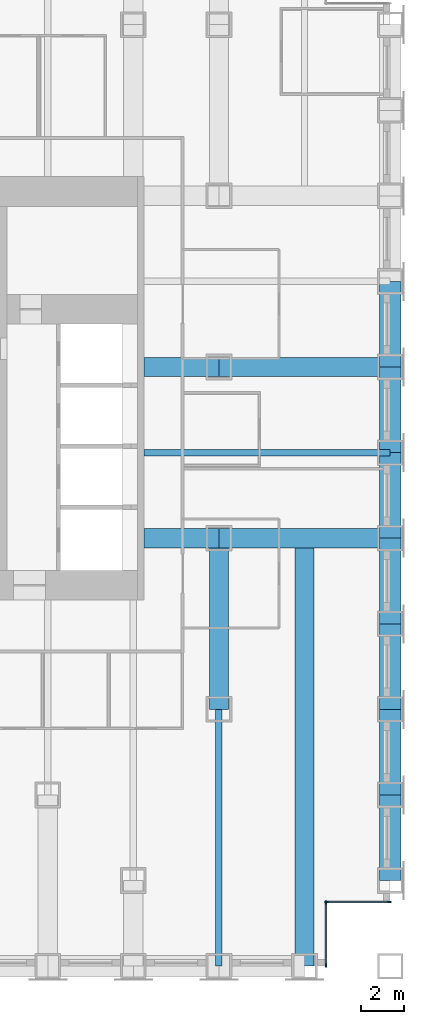
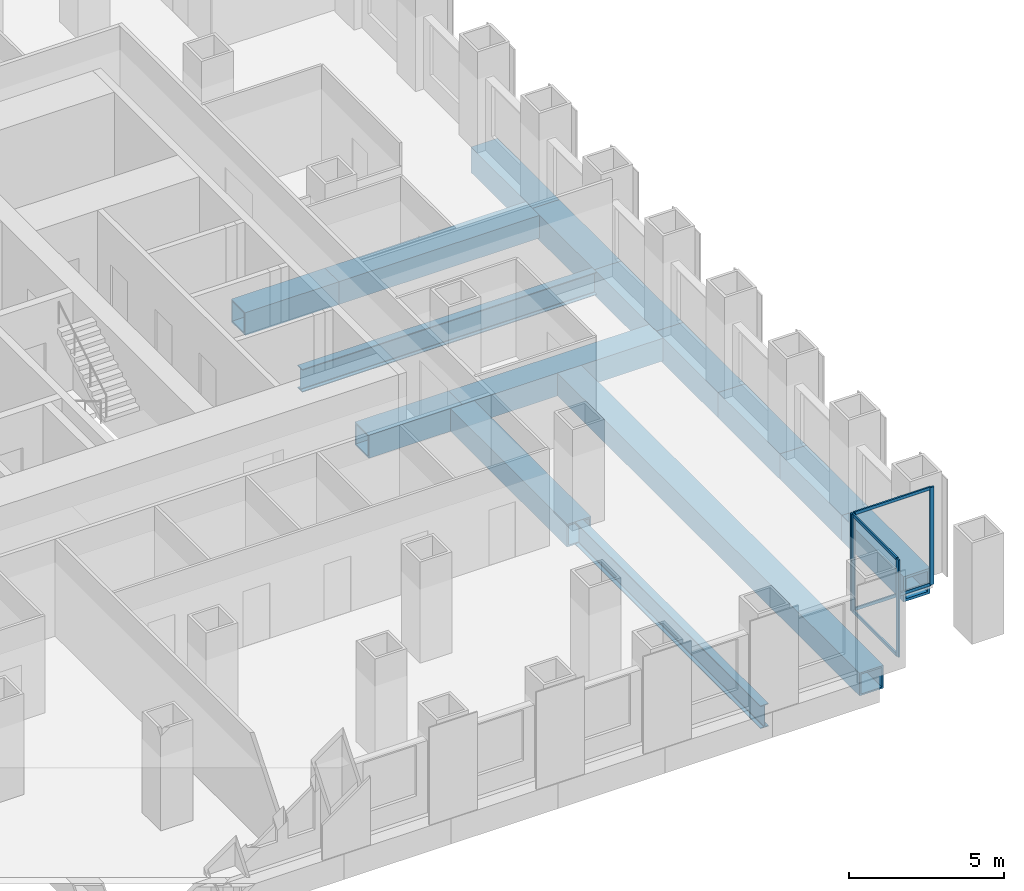
# One storey, part 4 of 14: 15 beams, 8 members, 2 elements without a shape of their own.
"""IFC4 building model written with IfcOpenShell, lengths in metres."""

from ifc_helpers import new_model, si_unit, direction, frame, origin, origin_2d, place, context, subcontext, project, spatial, rectangle, hollow_rectangle, i_section, extrude, material, material_profile, profile_set, type_object, element, aggregate, save


model = new_model("IFC4")

# Units and contexts
model_context = context("Model", 3, precision=1e-05, world=origin(), true_north=direction((0.0, 1.0)))
body_context = subcontext(model_context, "Body", "Model", "MODEL_VIEW")
ifc_project = project(units=[si_unit("LENGTHUNIT", "METRE"), si_unit("AREAUNIT", "SQUARE_METRE"), si_unit("VOLUMEUNIT", "CUBIC_METRE"), si_unit("PLANEANGLEUNIT", "RADIAN"), si_unit("MASSUNIT", "GRAM", prefix="KILO")], contexts=[model_context])

# Site, building, storey
site_placement = place(None, origin())
site = spatial("IfcSite", under=ifc_project, at=site_placement, CompositionType="ELEMENT")
building_placement = place(site_placement, origin())
building = spatial("IfcBuilding", under=site, at=building_placement, Name="Rimbunsela Tower", CompositionType="ELEMENT")
storey_placement = place(building_placement, frame((0.0, 0.0, 63.0)))
storey = spatial("IfcBuildingStorey", under=building, at=storey_placement, Name="L15", CompositionType="ELEMENT", Elevation=63.0)

# Beams
ifc_material_1 = material(Name="Steel BJ 55 (fy 410 MPa)", Category="steel")
ifc_material_profile_1 = material_profile(ifc_material_1, hollow_rectangle(XDim=1.0, YDim=1.0, WallThickness=0.10009765625, at=origin_2d()), Name="BOX 1000x1000x100")
ifc_profile_set_1 = profile_set([ifc_material_profile_1], Name="Steel BJ 55 (fy 410 MPa)")
beam_type_1 = type_object("IfcBeamType", Name="Beam BOX 1000x1000x100", PredefinedType="BEAM", material=ifc_profile_set_1)
for number, where, z_axis, x_axis, name in (
    (1, (54.0, 4.0, -0.64990234375), (0.0, 1.0, 0.0), (-1.0, 0.0, 0.0), "Beam B3 L15"),
    (2, (54.0, 8.0, -0.64990234375), (0.0, 1.0, 0.0), (-1.0, 0.0, 0.0), "Beam B3 L15"),
    (3, (54.0, 12.0, -0.64990234375), (0.0, 1.0, 0.0), (-1.0, 0.0, 0.0), "Beam B3 L15"),
    (4, (54.0, 16.0, -0.64990234375), (0.0, 1.0, 0.0), (-1.0, 0.0, 0.0), "Beam B3 L15"),
    (5, (54.0, 20.0, -0.64990234375), (0.0, 1.0, 0.0), (-1.0, 0.0, 0.0), "Beam B3 L15"),
    (6, (54.0, 24.0, -0.64990234375), (0.0, 1.0, 0.0), (-1.0, 0.0, 0.0), "Beam B3 L15"),
    (7, (54.0, 28.0, -0.64990234375), (0.0, 1.0, 0.0), (-1.0, 0.0, 0.0), "Beam B3 L15"),
):
    element("IfcBeam", number, at=place(storey_placement, frame(where, z_axis=z_axis, x_axis=x_axis)), inside=storey, type_object=beam_type_1, Name=name, PredefinedType="BEAM", context=body_context, shape_type="SweptSolid", body=[
        extrude(hollow_rectangle(XDim=1.0, YDim=1.0, WallThickness=0.10009765625, at=origin_2d()), origin(), (0.0, 0.0, 1.0), 4.0),
    ])
ifc_material_2 = material(Name="Steel BJ 55 (fy 410 MPa)", Category="steel")
ifc_material_profile_2 = material_profile(ifc_material_2, hollow_rectangle(XDim=0.89990234375, YDim=0.89990234375, WallThickness=0.06005859375, at=origin_2d()), Name="BOX 900x900x60")
ifc_profile_set_2 = profile_set([ifc_material_profile_2], Name="Steel BJ 55 (fy 410 MPa)")
beam_type_2 = type_object("IfcBeamType", Name="Beam BOX 900x900x60", PredefinedType="BEAM", material=ifc_profile_set_2)
for number, where, z_axis, x_axis, name in (
    (8, (42.5, 20.0, -0.60009765625), (1.0, 0.0, 0.0), (0.0, 1.0, 0.0), "Beam B1 L15"),
    (9, (42.5, 28.0, -0.60009765625), (1.0, 0.0, 0.0), (0.0, 1.0, 0.0), "Beam B1 L15"),
):
    element("IfcBeam", number, at=place(storey_placement, frame(where, z_axis=z_axis, x_axis=x_axis)), inside=storey, type_object=beam_type_2, Name=name, PredefinedType="BEAM", context=body_context, shape_type="SweptSolid", body=[
        extrude(hollow_rectangle(XDim=0.89990234375, YDim=0.89990234375, WallThickness=0.06005859375, at=origin_2d()), origin(), (0.0, 0.0, 1.0), 3.5),
    ])
for number, where, z_axis, x_axis, name in (
    (10, (46.0, 12.0, -0.60009765625), (0.0, 1.0, 0.0), (-1.0, 0.0, 0.0), "Beam B1 L15"),
    (11, (46.0, 20.0, -0.60009765625), (1.0, 0.0, 0.0), (0.0, 1.0, 0.0), "Beam B1 L15"),
    (12, (46.0, 28.0, -0.60009765625), (1.0, 0.0, 0.0), (0.0, 1.0, 0.0), "Beam B1 L15"),
):
    element("IfcBeam", number, at=place(storey_placement, frame(where, z_axis=z_axis, x_axis=x_axis)), inside=storey, type_object=beam_type_2, Name=name, PredefinedType="BEAM", context=body_context, shape_type="SweptSolid", body=[
        extrude(hollow_rectangle(XDim=0.89990234375, YDim=0.89990234375, WallThickness=0.06005859375, at=origin_2d()), origin(), (0.0, 0.0, 1.0), 8.0),
    ])
beam_1_placement = place(storey_placement, frame((50.0, 0.0, -0.60009765625), z_axis=(0.0, 1.0, 0.0), x_axis=(-1.0, 0.0, 0.0)))
element("IfcBeam", 13, at=beam_1_placement, inside=storey, type_object=beam_type_2, Name="Beam B1 L15", PredefinedType="BEAM", context=body_context, shape_type="SweptSolid", body=[
    extrude(hollow_rectangle(XDim=0.89990234375, YDim=0.89990234375, WallThickness=0.06005859375, at=origin_2d()), origin(), (0.0, 0.0, 1.0), 19.550048828125),
])
ifc_material_3 = material(Name="Steel BJ 55 (fy 410 MPa)", Category="steel")
ifc_material_profile_3 = material_profile(ifc_material_3, i_section(OverallWidth=0.300048828125, OverallDepth=0.89990234375, WebThickness=0.01611328125, FlangeThickness=0.028076171875, FilletRadius=0.028076171875, at=origin_2d()), Name="H 900x300x16x28")
ifc_profile_set_3 = profile_set([ifc_material_profile_3], Name="Steel BJ 55 (fy 410 MPa)")
beam_type_3 = type_object("IfcBeamType", Name="Beam H 900x300x16x28", PredefinedType="BEAM", material=ifc_profile_set_3)
beam_2_placement = place(storey_placement, frame((42.5, 24.0, -0.60009765625), z_axis=(1.0, 0.0, 0.0), x_axis=(0.0, 1.0, 0.0)))
element("IfcBeam", 14, at=beam_2_placement, inside=storey, type_object=beam_type_3, Name="Beam B2 L15", PredefinedType="BEAM", context=body_context, shape_type="SweptSolid", body=[
    extrude(i_section(OverallWidth=0.300048828125, OverallDepth=0.89990234375, WebThickness=0.01611328125, FlangeThickness=0.028076171875, FilletRadius=0.028076171875, at=origin_2d()), origin(), (0.0, 0.0, 1.0), 11.5),
])
beam_3_placement = place(storey_placement, frame((46.0, 0.0, -0.60009765625), z_axis=(0.0, 1.0, 0.0), x_axis=(-1.0, 0.0, 0.0)))
element("IfcBeam", 15, at=beam_3_placement, inside=storey, type_object=beam_type_3, Name="Beam B2 L15", PredefinedType="BEAM", context=body_context, shape_type="SweptSolid", body=[
    extrude(i_section(OverallWidth=0.300048828125, OverallDepth=0.89990234375, WebThickness=0.01611328125, FlangeThickness=0.028076171875, FilletRadius=0.028076171875, at=origin_2d()), origin(), (0.0, 0.0, 1.0), 12.0),
])

# Curtain wall, members
ifc_material_4 = material(Name="Aluminium curtain wall", Category="aluminium")
curtain_wall_type = type_object("IfcCurtainWallType", Name="Corner glazing", PredefinedType="USERDEFINED", material=ifc_material_4)
curtain_wall_1_placement = place(storey_placement, origin())
curtain_wall_1 = element("IfcCurtainWall", 16, at=curtain_wall_1_placement, inside=storey, type_object=curtain_wall_type, Name="Corner glazing L15", ObjectType="CORNER GLAZING", PredefinedType="USERDEFINED")
ifc_material_5 = material(Name="Aluminium mullion", Category="aluminium")
ifc_material_profile_4 = material_profile(ifc_material_5, rectangle(XDim=0.06005859375, YDim=0.159912109375, at=origin_2d()), Name="Mullion 60x160")
ifc_profile_set_4 = profile_set([ifc_material_profile_4], Name="Aluminium mullion")
member_type_1 = type_object("IfcMemberType", Name="Curtain wall mullion 60x160", PredefinedType="MULLION", material=ifc_profile_set_4)
member_1_placement = place(storey_placement, frame((51.0, 0.030029296875, 0.0), z_axis=(0.0, 0.0, 1.0), x_axis=(-1.0, 0.0, 0.0)))
member_1 = element("IfcMember", 17, at=member_1_placement, type_object=member_type_1, Name="CW5 mullion 1", PredefinedType="MULLION", context=body_context, shape_type="SweptSolid", body=[
    extrude(rectangle(XDim=0.06005859375, YDim=0.159912109375, at=origin_2d()), origin(), (0.0, 0.0, 1.0), 3.85009765625),
])
member_2_placement = place(storey_placement, frame((51.0, 2.969970703125, 0.0), z_axis=(0.0, 0.0, 1.0), x_axis=(-1.0, 0.0, 0.0)))
member_2 = element("IfcMember", 18, at=member_2_placement, type_object=member_type_1, Name="CW5 mullion 2", PredefinedType="MULLION", context=body_context, shape_type="SweptSolid", body=[
    extrude(rectangle(XDim=0.06005859375, YDim=0.159912109375, at=origin_2d()), origin(), (0.0, 0.0, 1.0), 3.85009765625),
])

curtain_wall_2_placement = place(storey_placement, origin())
curtain_wall_2 = element("IfcCurtainWall", 19, at=curtain_wall_2_placement, inside=storey, type_object=curtain_wall_type, Name="Corner glazing L15", ObjectType="CORNER GLAZING", PredefinedType="USERDEFINED")
member_3_placement = place(storey_placement, frame((51.030029296875, 3.0, 0.0), z_axis=(0.0, 0.0, 1.0), x_axis=(0.0, 1.0, 0.0)))
member_3 = element("IfcMember", 20, at=member_3_placement, type_object=member_type_1, Name="CW5 mullion 1", PredefinedType="MULLION", context=body_context, shape_type="SweptSolid", body=[
    extrude(rectangle(XDim=0.06005859375, YDim=0.159912109375, at=origin_2d()), origin(), (0.0, 0.0, 1.0), 3.85009765625),
])
member_4_placement = place(storey_placement, frame((53.969970703125, 3.0, 0.0), z_axis=(0.0, 0.0, 1.0), x_axis=(0.0, 1.0, 0.0)))
member_4 = element("IfcMember", 21, at=member_4_placement, type_object=member_type_1, Name="CW5 mullion 2", PredefinedType="MULLION", context=body_context, shape_type="SweptSolid", body=[
    extrude(rectangle(XDim=0.06005859375, YDim=0.159912109375, at=origin_2d()), origin(), (0.0, 0.0, 1.0), 3.85009765625),
])

# Member
ifc_material_6 = material(Name="Aluminium transom", Category="aluminium")
ifc_material_profile_5 = material_profile(ifc_material_6, rectangle(XDim=0.06005859375, YDim=0.1201171875, at=origin_2d()), Name="Transom 60x120")
ifc_profile_set_5 = profile_set([ifc_material_profile_5], Name="Aluminium transom")
member_type_2 = type_object("IfcMemberType", Name="Curtain wall transom 60x120", PredefinedType="USERDEFINED", material=ifc_profile_set_5)
member_5_placement = place(storey_placement, frame((51.0, 0.06005859375, 0.030029296875), z_axis=(0.0, 1.0, 0.0), x_axis=(-1.0, 0.0, 0.0)))
member_5 = element("IfcMember", 22, at=member_5_placement, type_object=member_type_2, Name="CW5 transom 1.1", ObjectType="TRANSOM", PredefinedType="USERDEFINED", context=body_context, shape_type="SweptSolid", body=[
    extrude(rectangle(XDim=0.06005859375, YDim=0.1201171875, at=origin_2d()), origin(), (0.0, 0.0, 1.0), 2.8798828125),
])

member_6_placement = place(storey_placement, frame((51.0, 0.06005859375, 3.820068359375), z_axis=(0.0, 1.0, 0.0), x_axis=(-1.0, 0.0, 0.0)))
member_6 = element("IfcMember", 23, at=member_6_placement, type_object=member_type_2, Name="CW5 transom 1.2", ObjectType="TRANSOM", PredefinedType="USERDEFINED", context=body_context, shape_type="SweptSolid", body=[
    extrude(rectangle(XDim=0.06005859375, YDim=0.1201171875, at=origin_2d()), origin(), (0.0, 0.0, 1.0), 2.8798828125),
])

aggregate(curtain_wall_1, [member_1, member_2, member_5, member_6])

member_7_placement = place(storey_placement, frame((51.06005859375, 3.0, 0.030029296875), z_axis=(1.0, 0.0, 0.0), x_axis=(0.0, 1.0, 0.0)))
member_7 = element("IfcMember", 24, at=member_7_placement, type_object=member_type_2, Name="CW5 transom 1.1", ObjectType="TRANSOM", PredefinedType="USERDEFINED", context=body_context, shape_type="SweptSolid", body=[
    extrude(rectangle(XDim=0.06005859375, YDim=0.1201171875, at=origin_2d()), origin(), (0.0, 0.0, 1.0), 2.8798828125),
])

member_8_placement = place(storey_placement, frame((51.06005859375, 3.0, 3.820068359375), z_axis=(1.0, 0.0, 0.0), x_axis=(0.0, 1.0, 0.0)))
member_8 = element("IfcMember", 25, at=member_8_placement, type_object=member_type_2, Name="CW5 transom 1.2", ObjectType="TRANSOM", PredefinedType="USERDEFINED", context=body_context, shape_type="SweptSolid", body=[
    extrude(rectangle(XDim=0.06005859375, YDim=0.1201171875, at=origin_2d()), origin(), (0.0, 0.0, 1.0), 2.8798828125),
])

aggregate(curtain_wall_2, [member_3, member_4, member_7, member_8])

save(model, "model.ifc")
